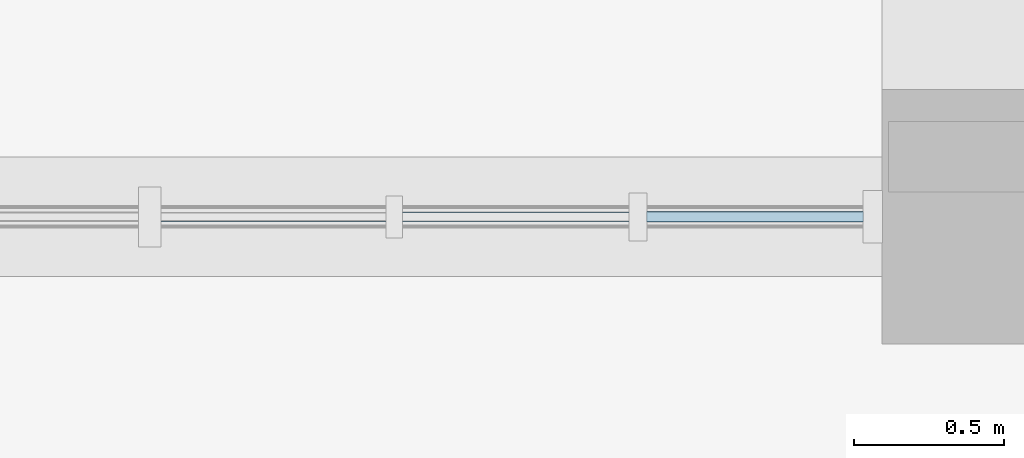
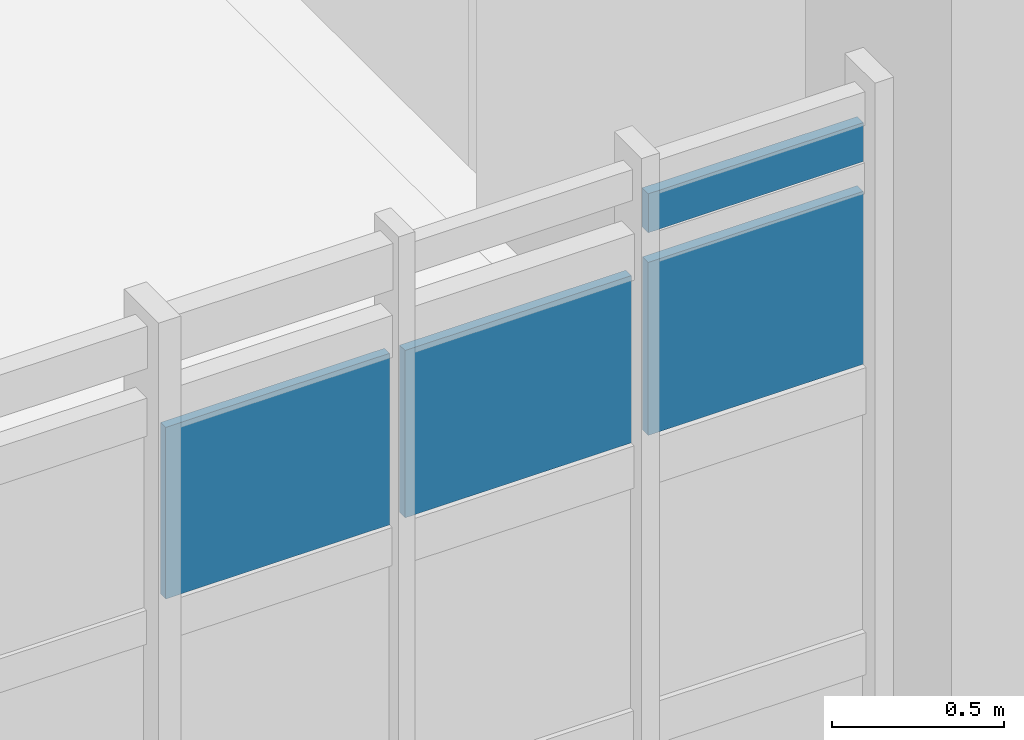
# One storey, part 38 of 63: 4 plates, 1 element without a shape of its own.
"""IFC4 building model written with IfcOpenShell, lengths in metres."""

from ifc_helpers import new_model, si_unit, direction, frame, origin, origin_2d, place, context, subcontext, project, spatial, rectangle, extrude, material, layer, layer_set, type_object, element, aggregate, save


model = new_model("IFC4")

# Units and contexts
model_context = context("Model", 3, precision=1e-05, world=origin(), true_north=direction((0.0, 1.0)))
body_context = subcontext(model_context, "Body", "Model", "MODEL_VIEW")
ifc_project = project(units=[si_unit("LENGTHUNIT", "METRE"), si_unit("AREAUNIT", "SQUARE_METRE"), si_unit("VOLUMEUNIT", "CUBIC_METRE"), si_unit("PLANEANGLEUNIT", "RADIAN"), si_unit("MASSUNIT", "GRAM", prefix="KILO")], contexts=[model_context])

# Site, building, storey
site_placement = place(None, origin())
site = spatial("IfcSite", under=ifc_project, at=site_placement, CompositionType="ELEMENT")
building_placement = place(site_placement, origin())
building = spatial("IfcBuilding", under=site, at=building_placement, Name="Serraforn Aerial Cableway Station", CompositionType="ELEMENT")
storey_placement = place(building_placement, origin())
storey = spatial("IfcBuildingStorey", under=building, at=storey_placement, Name="L00", CompositionType="ELEMENT", Elevation=0.0)

# Curtain wall, plates
ifc_material_1 = material(Name="Anodised bronze unitised curtain wall")
curtain_wall_type = type_object("IfcCurtainWallType", Name="CW-SYS-6", PredefinedType="USERDEFINED", material=ifc_material_1)
curtain_wall_placement = place(storey_placement, origin())
curtain_wall = element("IfcCurtainWall", 1, at=curtain_wall_placement, inside=storey, type_object=curtain_wall_type, Name="Unitised Curtain Wall CW-CV-L00-S4B", ObjectType="UNITISED CURTAIN WALL", PredefinedType="USERDEFINED")
ifc_material_2 = material(Name="Solar-control low-E double glazing", Category="glass")
ifc_layer_1 = layer(ifc_material_2, 0.030029296875)
ifc_layer_set_1 = layer_set([ifc_layer_1], Name="Solar-control low-E double glazing")
plate_type_1 = type_object("IfcPlateType", Name="CW-GLZ-3", PredefinedType="CURTAIN_PANEL", material=ifc_layer_set_1)
plate_1_placement = place(storey_placement, frame((61.321044921875, 18.0, 2.062255859375), z_axis=(0.0, 0.0, 1.0), x_axis=(1.0, 0.0, 0.0)))
plate_1 = element("IfcPlate", 2, at=plate_1_placement, type_object=plate_type_1, Name="Curtain Wall Panel CW-CV-L00-S4B-P3-3", PredefinedType="CURTAIN_PANEL", context=body_context, shape_type="SweptSolid", body=[
    extrude(rectangle(XDim=0.75341796875, YDim=0.030029296875, at=origin_2d()), origin(), (0.0, 0.0, 1.0), 0.6103515625),
])
ifc_layer_2 = layer(ifc_material_2, 0.031982421875)
ifc_layer_set_2 = layer_set([ifc_layer_2], Name="Solar-control low-E double glazing")
plate_type_2 = type_object("IfcPlateType", Name="CW-GLZ-4", PredefinedType="CURTAIN_PANEL", material=ifc_layer_set_2)
plate_2_placement = place(storey_placement, frame((62.129150390625, 18.0, 2.06982421875), z_axis=(0.0, 0.0, 1.0), x_axis=(1.0, 0.0, 0.0)))
plate_2 = element("IfcPlate", 3, at=plate_2_placement, type_object=plate_type_2, Name="Curtain Wall Panel CW-CV-L00-S4B-P4-3", PredefinedType="CURTAIN_PANEL", context=body_context, shape_type="SweptSolid", body=[
    extrude(rectangle(XDim=0.760986328125, YDim=0.031982421875, at=origin_2d()), origin(), (0.0, 0.0, 1.0), 0.59521484375),
])
ifc_layer_3 = layer(ifc_material_2, 0.033935546875)
ifc_layer_set_3 = layer_set([ifc_layer_3], Name="Solar-control low-E double glazing")
plate_type_3 = type_object("IfcPlateType", Name="CW-GLZ-5", PredefinedType="CURTAIN_PANEL", material=ifc_layer_set_3)
plate_3_placement = place(storey_placement, frame((62.92724609375, 18.0, 2.077392578125), z_axis=(0.0, 0.0, 1.0), x_axis=(1.0, 0.0, 0.0)))
plate_3 = element("IfcPlate", 4, at=plate_3_placement, type_object=plate_type_3, Name="Curtain Wall Panel CW-CV-L00-S4B-P5-3", PredefinedType="CURTAIN_PANEL", context=body_context, shape_type="SweptSolid", body=[
    extrude(rectangle(XDim=0.723388671875, YDim=0.033935546875, at=origin_2d()), origin(), (0.0, 0.0, 1.0), 0.615234375),
])
ifc_layer_4 = layer(ifc_material_2, 0.035888671875)
ifc_layer_set_4 = layer_set([ifc_layer_4], Name="Solar-control low-E double glazing")
plate_type_4 = type_object("IfcPlateType", Name="CW-GLZ-6", PredefinedType="CURTAIN_PANEL", material=ifc_layer_set_4)
plate_4_placement = place(storey_placement, frame((62.92724609375, 18.0, 2.798583984375), z_axis=(0.0, 0.0, 1.0), x_axis=(1.0, 0.0, 0.0)))
plate_4 = element("IfcPlate", 5, at=plate_4_placement, type_object=plate_type_4, Name="Curtain Wall Panel CW-CV-L00-S4B-P5-4", PredefinedType="CURTAIN_PANEL", context=body_context, shape_type="SweptSolid", body=[
    extrude(rectangle(XDim=0.723388671875, YDim=0.035888671875, at=origin_2d()), origin(), (0.0, 0.0, 1.0), 0.138671875),
])
aggregate(curtain_wall, [plate_1, plate_2, plate_3, plate_4])

save(model, "model.ifc")
